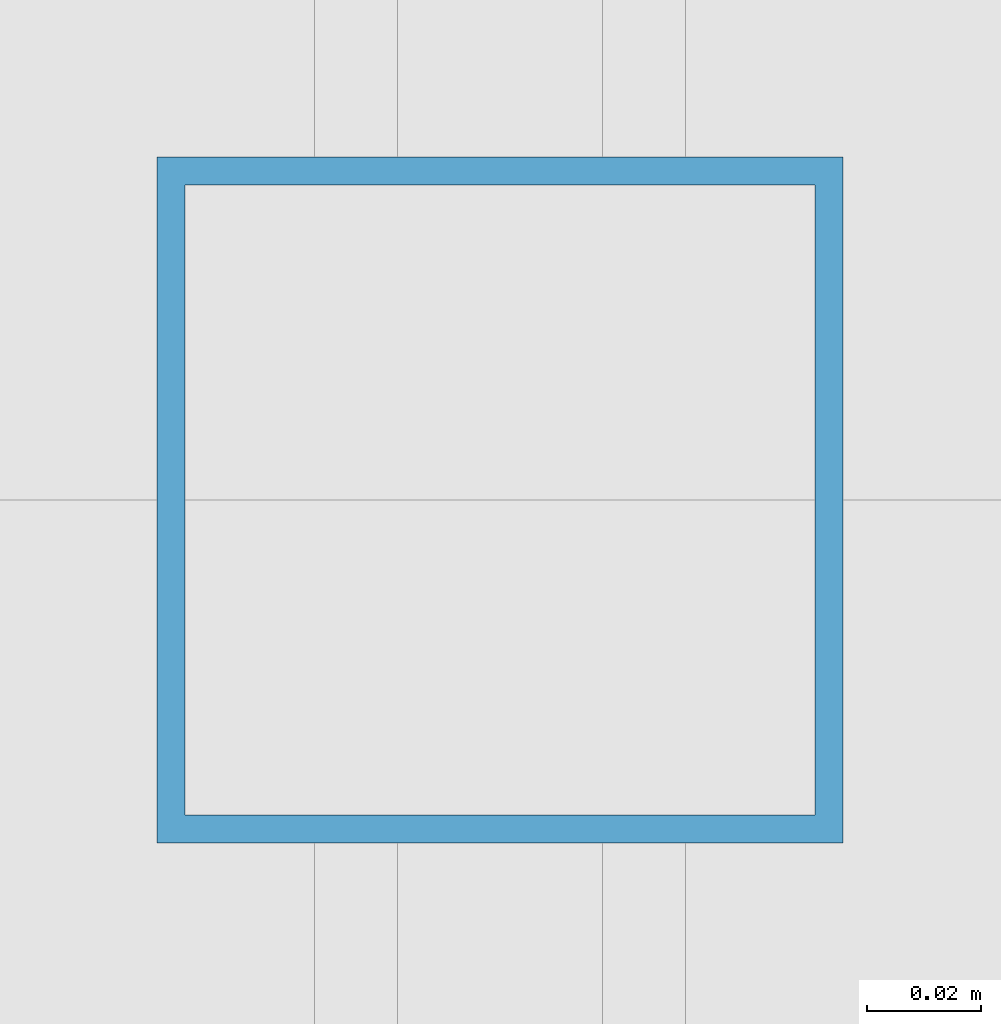
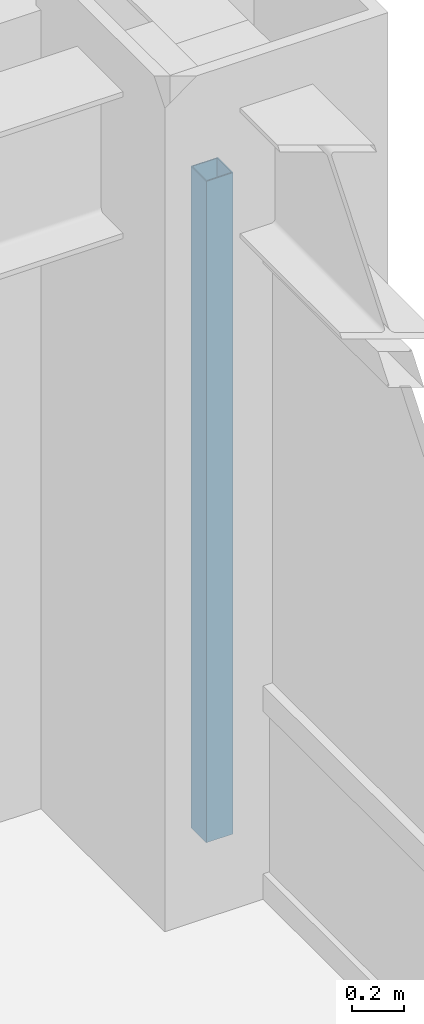
# One storey, part 10 of 24: 1 member, 1 element without a shape of its own.
"""IFC4 building model written with IfcOpenShell, lengths in metres."""

from ifc_helpers import new_model, si_unit, direction, frame, origin, origin_2d, place, context, subcontext, project, spatial, hollow_rectangle, extrude, source, transform, mapped, material, material_profile, profile_set, type_object, element, aggregate, save


model = new_model("IFC4")

# Units and contexts
model_context = context("Model", 3, precision=1e-05, world=origin(), true_north=direction((0.0, 1.0)))
body_context = subcontext(model_context, "Body", "Model", "MODEL_VIEW")
ifc_project = project(units=[si_unit("LENGTHUNIT", "METRE"), si_unit("AREAUNIT", "SQUARE_METRE"), si_unit("VOLUMEUNIT", "CUBIC_METRE"), si_unit("PLANEANGLEUNIT", "RADIAN"), si_unit("MASSUNIT", "GRAM", prefix="KILO")], contexts=[model_context])

# Site, building, storey
site_placement = place(None, origin())
site = spatial("IfcSite", under=ifc_project, at=site_placement, CompositionType="ELEMENT")
building_placement = place(site_placement, origin())
building = spatial("IfcBuilding", under=site, at=building_placement, Name="Khorayat Bourse Tower", CompositionType="ELEMENT")
storey_placement = place(building_placement, frame((0.0, 0.0, 219.10009765625)))
storey = spatial("IfcBuildingStorey", under=building, at=storey_placement, Name="L51", CompositionType="ELEMENT", Elevation=219.10009765625)

# Curtain wall, member
ifc_material = material(Name="Aluminium EN AW-6063 T6", Category="aluminium")
curtain_wall_type = type_object("IfcCurtainWallType", Name="CW-SYS-03", PredefinedType="NOTDEFINED", material=ifc_material)
curtain_wall_placement = place(storey_placement, origin())
curtain_wall = element("IfcCurtainWall", 1, at=curtain_wall_placement, inside=storey, type_object=curtain_wall_type, Name="L51 Curtain Wall CW-L51-E1", PredefinedType="NOTDEFINED")
ifc_material_profile = material_profile(ifc_material, hollow_rectangle(XDim=0.1201171875, YDim=0.1201171875, WallThickness=0.0048828125, at=origin_2d()), Name="ALU 120x120x5")
ifc_profile_set = profile_set([ifc_material_profile], Name="Aluminium EN AW-6063 T6")
member_type = type_object("IfcMemberType", Name="CWM-VERT-120", PredefinedType="MULLION", material=ifc_profile_set)
shared_shape = source(origin(), body_context, "Body", "SweptSolid", [
    extrude(hollow_rectangle(XDim=0.1201171875, YDim=0.1201171875, WallThickness=0.0048828125, at=origin_2d()), origin(), (0.0, 0.0, 1.0), 3.1298828125),
])
member_placement = place(storey_placement, frame((30.0, 0.0, 0.0), z_axis=(0.0, 0.0, 1.0), x_axis=(-1.0, 0.0, 0.0)))
member = element("IfcMember", 2, at=member_placement, type_object=member_type, Name="CW-L51-E1 Vertical Mullion 2", PredefinedType="MULLION", context=body_context, shape_type="MappedRepresentation", body=[
    mapped(shared_shape, transform((0.0, 0.0, 0.0), scale=1.0)),
])
aggregate(curtain_wall, [member])

save(model, "model.ifc")
